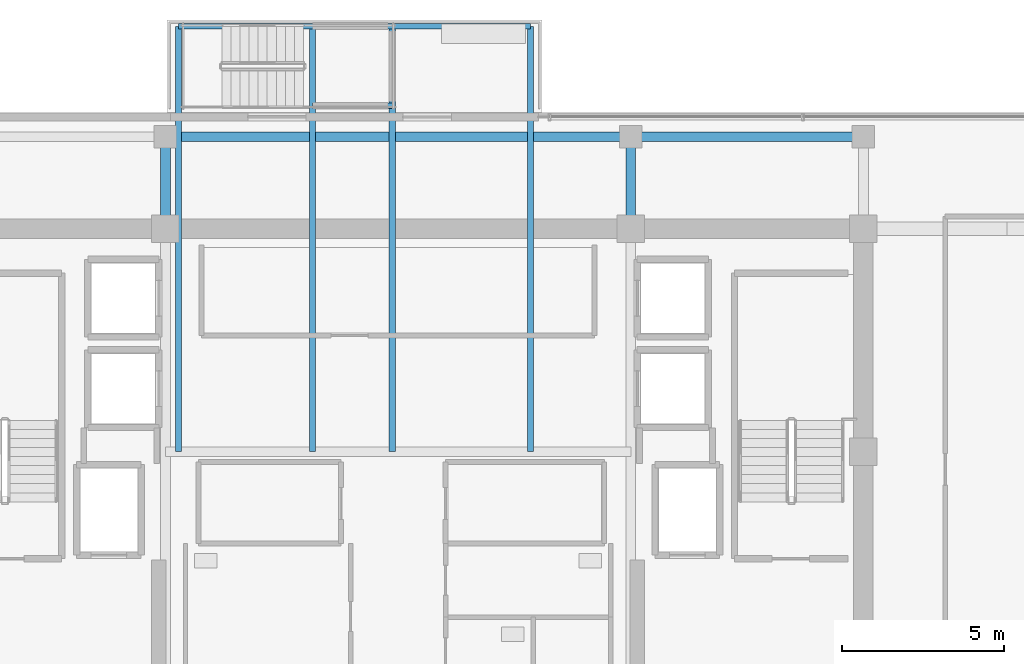
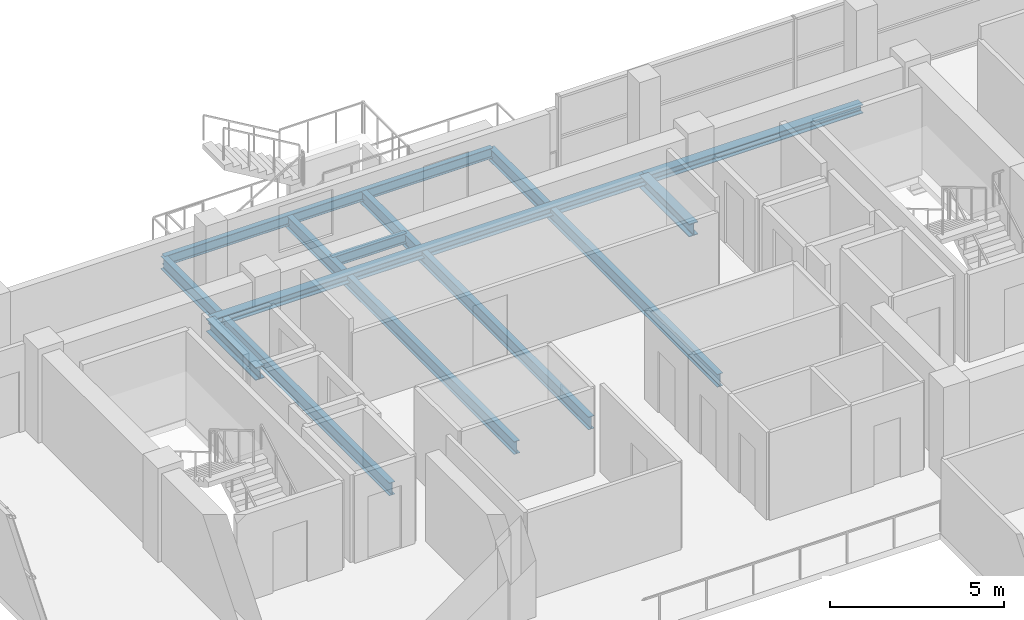
# One storey, part 11 of 23: 10 beams.
"""IFC4 building model written with IfcOpenShell, lengths in metres."""

from ifc_helpers import new_model, si_unit, direction, frame, origin, origin_2d, place, context, subcontext, project, spatial, i_section, extrude, material, material_profile, profile_set, type_object, element, save


model = new_model("IFC4")

# Units and contexts
model_context = context("Model", 3, precision=1e-05, world=origin(), true_north=direction((0.0, 1.0)))
body_context = subcontext(model_context, "Body", "Model", "MODEL_VIEW")
ifc_project = project(units=[si_unit("LENGTHUNIT", "METRE"), si_unit("AREAUNIT", "SQUARE_METRE"), si_unit("VOLUMEUNIT", "CUBIC_METRE"), si_unit("PLANEANGLEUNIT", "RADIAN"), si_unit("MASSUNIT", "GRAM", prefix="KILO")], contexts=[model_context])

# Site, building, storey
site_placement = place(None, origin())
site = spatial("IfcSite", under=ifc_project, at=site_placement, CompositionType="ELEMENT")
building_placement = place(site_placement, origin())
building = spatial("IfcBuilding", under=site, at=building_placement, Name="Zarnakvel Exchange Tower", CompositionType="ELEMENT")
storey_placement = place(building_placement, frame((0.0, 0.0, 232.0)))
storey = spatial("IfcBuildingStorey", under=building, at=storey_placement, Name="L65", CompositionType="ELEMENT", Elevation=232.0)

# Beams
ifc_material = material(Name="Steel S355", Category="steel")
ifc_material_profile_1 = material_profile(ifc_material, i_section(OverallWidth=0.18994140625, OverallDepth=0.449951171875, WebThickness=0.009521484375, FlangeThickness=0.0146484375, FilletRadius=0.02099609375, at=origin_2d()))
ifc_profile_set_1 = profile_set([ifc_material_profile_1], Name="Steel S355")
beam_type_1 = type_object("IfcBeamType", Name="B-05", PredefinedType="JOIST", material=ifc_profile_set_1)
for number, where, z_axis, x_axis, name in (
    (1, (4.10009765625, 6.60009765625, -0.47509765625), (0.0, 1.0, 0.0), (-1.0, 0.0, 0.0), "L65 North Spiral Terrace East Rim Beam"),
    (2, (-6.800048828125, 6.60009765625, -0.47509765625), (0.0, 1.0, 0.0), (-1.0, 0.0, 0.0), "L65 Continuous North Spiral Terrace Beam W"),
    (3, (-0.179931640625, 6.60009765625, -0.47509765625), (0.0, 1.0, 0.0), (-1.0, 0.0, 0.0), "L65 Continuous North Spiral Terrace Beam E"),
    (4, (-2.64990234375, 6.60009765625, -0.47509765625), (0.0, 1.0, 0.0), (-1.0, 0.0, 0.0), "L65 Terrace Stair Plinth Beam W"),
):
    element("IfcBeam", number, at=place(storey_placement, frame(where, z_axis=z_axis, x_axis=x_axis)), inside=storey, type_object=beam_type_1, Name=name, PredefinedType="JOIST", context=body_context, shape_type="SweptSolid", body=[
        extrude(i_section(OverallWidth=0.18994140625, OverallDepth=0.449951171875, WebThickness=0.009521484375, FlangeThickness=0.0146484375, FilletRadius=0.02099609375, at=origin_2d()), origin(), (0.0, 0.0, 1.0), 13.159912109375),
    ])
ifc_material_profile_2 = material_profile(ifc_material, i_section(OverallWidth=0.169921875, OverallDepth=0.360107421875, WebThickness=0.008056640625, FlangeThickness=0.0126953125, FilletRadius=0.01806640625, at=origin_2d()))
ifc_profile_set_2 = profile_set([ifc_material_profile_2], Name="Steel S355")
beam_type_2 = type_object("IfcBeamType", Name="B-07", PredefinedType="JOIST", material=ifc_profile_set_2)
beam_1_placement = place(storey_placement, frame((-6.800048828125, 19.760009765625, -0.429931640625), z_axis=(1.0, 0.0, 0.0), x_axis=(0.0, 1.0, 0.0)))
element("IfcBeam", 5, at=beam_1_placement, inside=storey, type_object=beam_type_2, Name="L65 Spiral Terrace Edge Beam", PredefinedType="JOIST", context=body_context, shape_type="SweptSolid", body=[
    extrude(i_section(OverallWidth=0.169921875, OverallDepth=0.360107421875, WebThickness=0.008056640625, FlangeThickness=0.0126953125, FilletRadius=0.01806640625, at=origin_2d()), origin(), (0.0, 0.0, 1.0), 10.900146484375),
])
beam_2_placement = place(storey_placement, frame((-2.64990234375, 17.300048828125, -0.429931640625), z_axis=(1.0, 0.0, 0.0), x_axis=(0.0, 1.0, 0.0)))
element("IfcBeam", 6, at=beam_2_placement, inside=storey, type_object=beam_type_2, Name="L65 Terrace Stair Plinth Inner Beam", PredefinedType="JOIST", context=body_context, shape_type="SweptSolid", body=[
    extrude(i_section(OverallWidth=0.169921875, OverallDepth=0.360107421875, WebThickness=0.008056640625, FlangeThickness=0.0126953125, FilletRadius=0.01806640625, at=origin_2d()), origin(), (0.0, 0.0, 1.0), 2.469970703125),
])
ifc_material_profile_3 = material_profile(ifc_material, i_section(OverallWidth=0.300048828125, OverallDepth=0.449951171875, WebThickness=0.013916015625, FlangeThickness=0.02587890625, FilletRadius=0.027099609375, at=origin_2d()))
ifc_profile_set_3 = profile_set([ifc_material_profile_3], Name="Steel S355")
beam_type_3 = type_object("IfcBeamType", Name="G-07", PredefinedType="BEAM", material=ifc_profile_set_3)
for number, where, z_axis, x_axis, name in (
    (7, (-7.199951171875, 13.5, -0.449951171875), (0.0, 1.0, 0.0), (-1.0, 0.0, 0.0), "L65 Tower N-S Frame Beam"),
    (8, (7.199951171875, 13.5, -0.449951171875), (0.0, 1.0, 0.0), (-1.0, 0.0, 0.0), "L65 Tower N-S Frame Beam"),
):
    element("IfcBeam", number, at=place(storey_placement, frame(where, z_axis=z_axis, x_axis=x_axis)), inside=storey, type_object=beam_type_3, Name=name, PredefinedType="BEAM", context=body_context, shape_type="SweptSolid", body=[
        extrude(i_section(OverallWidth=0.300048828125, OverallDepth=0.449951171875, WebThickness=0.013916015625, FlangeThickness=0.02587890625, FilletRadius=0.027099609375, at=origin_2d()), origin(), (0.0, 0.0, 1.0), 2.85009765625),
    ])
ifc_material_profile_4 = material_profile(ifc_material, i_section(OverallWidth=0.300048828125, OverallDepth=0.300048828125, WebThickness=0.010986328125, FlangeThickness=0.01904296875, FilletRadius=0.027099609375, at=origin_2d()))
ifc_profile_set_4 = profile_set([ifc_material_profile_4], Name="Steel S355")
beam_type_4 = type_object("IfcBeamType", Name="SP-03", PredefinedType="SPANDREL", material=ifc_profile_set_4)
beam_3_placement = place(storey_placement, frame((-7.199951171875, 16.35009765625, -0.375), z_axis=(1.0, 0.0, 0.0), x_axis=(0.0, 1.0, 0.0)))
element("IfcBeam", 9, at=beam_3_placement, inside=storey, type_object=beam_type_4, Name="L65 Tower E-W Frame Beam", PredefinedType="SPANDREL", context=body_context, shape_type="SweptSolid", body=[
    extrude(i_section(OverallWidth=0.300048828125, OverallDepth=0.300048828125, WebThickness=0.010986328125, FlangeThickness=0.01904296875, FilletRadius=0.027099609375, at=origin_2d()), origin(), (0.0, 0.0, 1.0), 14.39990234375),
])
beam_4_placement = place(storey_placement, frame((7.199951171875, 16.35009765625, -0.375), z_axis=(1.0, 0.0, 0.0), x_axis=(0.0, 1.0, 0.0)))
element("IfcBeam", 10, at=beam_4_placement, inside=storey, type_object=beam_type_4, Name="L65 Tower E-W Frame Beam", PredefinedType="SPANDREL", context=body_context, shape_type="SweptSolid", body=[
    extrude(i_section(OverallWidth=0.300048828125, OverallDepth=0.300048828125, WebThickness=0.010986328125, FlangeThickness=0.01904296875, FilletRadius=0.027099609375, at=origin_2d()), origin(), (0.0, 0.0, 1.0), 7.199951171875),
])

save(model, "model.ifc")
